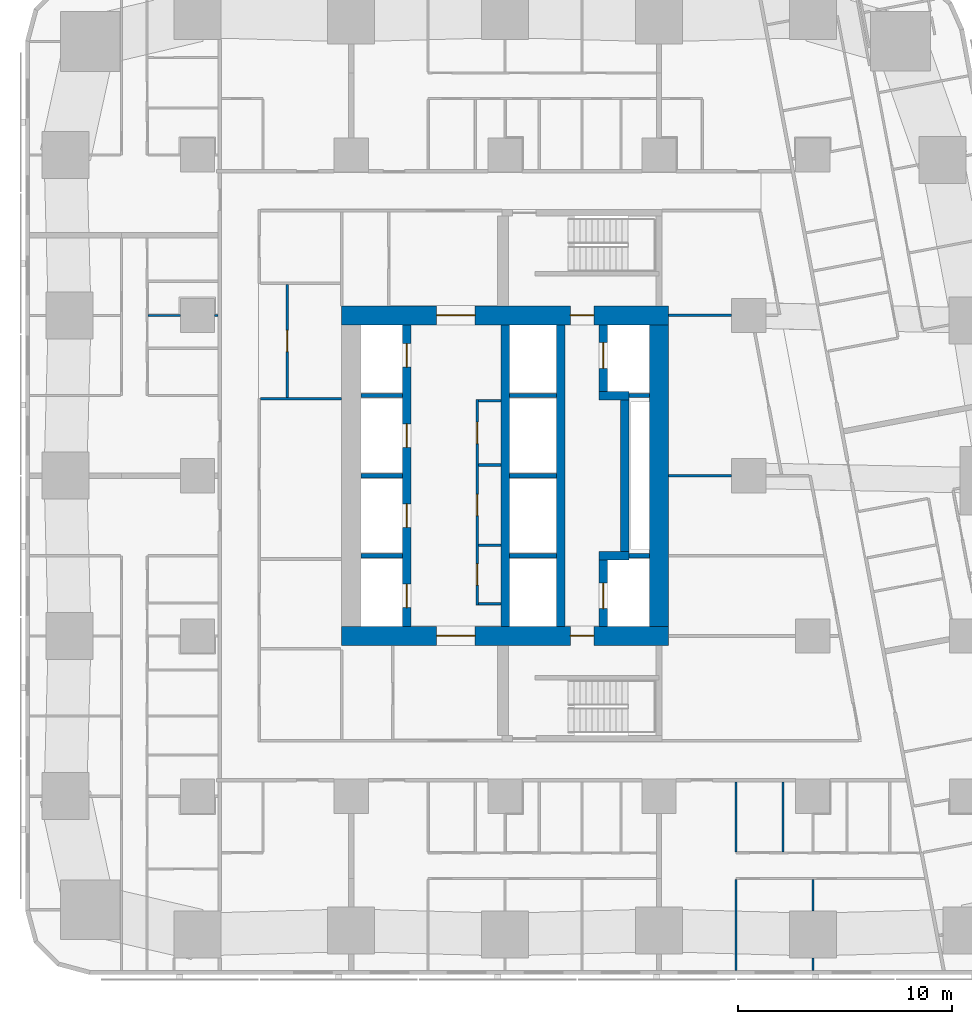
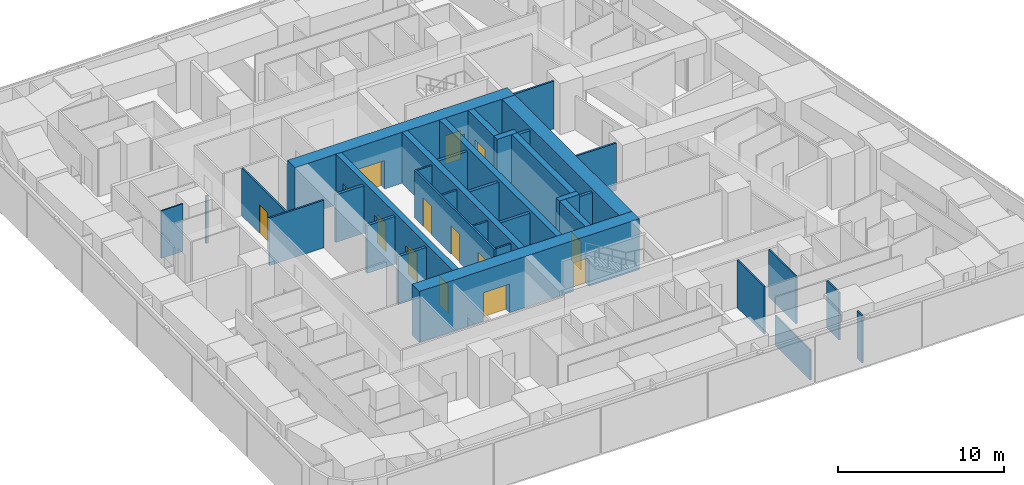
# One storey, part 5 of 15: 35 walls, 14 doors, 14 openings.
"""IFC4 building model written with IfcOpenShell, lengths in metres."""

from ifc_helpers import new_model, si_unit, direction, frame, frame_2d, origin, place, context, subcontext, project, spatial, rectangle, extrude, material, layer, layer_set, type_object, element, fill, save


model = new_model("IFC4")

# Units and contexts
model_context = context("Model", 3, precision=1e-05, world=origin(), true_north=direction((0.0, 1.0)))
body_context = subcontext(model_context, "Body", "Model", "MODEL_VIEW")
ifc_project = project(units=[si_unit("LENGTHUNIT", "METRE"), si_unit("AREAUNIT", "SQUARE_METRE"), si_unit("VOLUMEUNIT", "CUBIC_METRE"), si_unit("PLANEANGLEUNIT", "RADIAN"), si_unit("MASSUNIT", "GRAM", prefix="KILO")], contexts=[model_context])

# Site, building, storey
site_placement = place(None, origin())
site = spatial("IfcSite", under=ifc_project, at=site_placement, CompositionType="ELEMENT")
building_placement = place(site_placement, origin())
building = spatial("IfcBuilding", under=site, at=building_placement, Name="Sheger Commons Tower", CompositionType="ELEMENT")
storey_placement = place(building_placement, frame((0.0, 0.0, 85.39990234375)))
storey = spatial("IfcBuildingStorey", under=building, at=storey_placement, Name="L21", CompositionType="ELEMENT", Elevation=85.39990234375)

# Wall, openings, doors
ifc_material_1 = material(Name="Concrete C50/60", Category="concrete")
ifc_layer_1 = layer(ifc_material_1, 0.39990234375)
ifc_layer_set_1 = layer_set([ifc_layer_1], Name="CORE INNER WALL 400")
wall_type_1 = type_object("IfcWallType", Name="CORE INNER WALL 400", PredefinedType="SHEAR", material=ifc_layer_set_1)
wall_1_placement = place(storey_placement, frame((17.0, 15.449951171875, 0.0), z_axis=(0.0, 0.0, 1.0), x_axis=(0.0, 1.0, 0.0)))
wall_1 = element("IfcWall", 1, at=wall_1_placement, inside=storey, type_object=wall_type_1, Name="Core inner wall A L21", PredefinedType="SHEAR", context=body_context, shape_type="SweptSolid", body=[
    extrude(rectangle(XDim=14.10009765625, YDim=0.39990234375, at=frame_2d((7.050048828125, 0.0))), origin(), (0.0, 0.0, 1.0), 3.75),
])
opening_1_placement = place(wall_1_placement, frame((0.875, 0.0, 0.0)))
opening_1 = element("IfcOpeningElement", 2, at=opening_1_placement, cuts=wall_1, Name="Opening LD", PredefinedType="OPENING", context=body_context, shape_type="SweptSolid", body=[
    extrude(rectangle(XDim=1.10009765625, YDim=2.10009765625, at=frame_2d((0.550048828125, 1.050048828125))), frame((0.0, 0.2099609375, 0.0), z_axis=(0.0, -1.0, 0.0), x_axis=(1.0, 0.0, 0.0)), (0.0, 0.0, 1.0), 0.419921875),
])
opening_2_placement = place(wall_1_placement, frame((4.625, 0.0, 0.0)))
opening_2 = element("IfcOpeningElement", 3, at=opening_2_placement, cuts=wall_1, Name="Opening LD", PredefinedType="OPENING", context=body_context, shape_type="SweptSolid", body=[
    extrude(rectangle(XDim=1.10009765625, YDim=2.10009765625, at=frame_2d((0.550048828125, 1.050048828125))), frame((0.0, 0.2099609375, 0.0), z_axis=(0.0, -1.0, 0.0), x_axis=(1.0, 0.0, 0.0)), (0.0, 0.0, 1.0), 0.419921875),
])
opening_3_placement = place(wall_1_placement, frame((8.375, 0.0, 0.0)))
opening_3 = element("IfcOpeningElement", 4, at=opening_3_placement, cuts=wall_1, Name="Opening LD", PredefinedType="OPENING", context=body_context, shape_type="SweptSolid", body=[
    extrude(rectangle(XDim=1.10009765625, YDim=2.10009765625, at=frame_2d((0.550048828125, 1.050048828125))), frame((0.0, 0.2099609375, 0.0), z_axis=(0.0, -1.0, 0.0), x_axis=(1.0, 0.0, 0.0)), (0.0, 0.0, 1.0), 0.419921875),
])
opening_4_placement = place(wall_1_placement, frame((12.125, 0.0, 0.0)))
opening_4 = element("IfcOpeningElement", 5, at=opening_4_placement, cuts=wall_1, Name="Opening LD", PredefinedType="OPENING", context=body_context, shape_type="SweptSolid", body=[
    extrude(rectangle(XDim=1.10009765625, YDim=2.10009765625, at=frame_2d((0.550048828125, 1.050048828125))), frame((0.0, 0.2099609375, 0.0), z_axis=(0.0, -1.0, 0.0), x_axis=(1.0, 0.0, 0.0)), (0.0, 0.0, 1.0), 0.419921875),
])
ifc_material_2 = material(Name="Steel door set, fire rated", Category="steel")
door_type_1 = type_object("IfcDoorType", Name="LIFT LANDING DOOR 1100x2100", OperationType="DOUBLE_DOOR_SLIDING", PredefinedType="DOOR", material=ifc_material_2)
door_1_placement = place(opening_1_placement, origin())
door_1 = element("IfcDoor", 6, at=door_1_placement, inside=storey, type_object=door_type_1, Name="Lift LA1 landing door", OperationType="DOUBLE_DOOR_SLIDING", OverallHeight=2.10009765625, OverallWidth=1.10009765625, PredefinedType="DOOR", context=body_context, shape_type="SweptSolid", body=[
    extrude(rectangle(XDim=1.10009765625, YDim=2.10009765625, at=frame_2d((0.550048828125, 1.050048828125))), frame((0.0, 0.02490234375, 0.0), z_axis=(0.0, -1.0, 0.0), x_axis=(1.0, 0.0, 0.0)), (0.0, 0.0, 1.0), 0.050048828125),
])
fill(opening_1, door_1)
door_2_placement = place(opening_2_placement, origin())
door_2 = element("IfcDoor", 7, at=door_2_placement, inside=storey, type_object=door_type_1, Name="Lift LA2 landing door", OperationType="DOUBLE_DOOR_SLIDING", OverallHeight=2.10009765625, OverallWidth=1.10009765625, PredefinedType="DOOR", context=body_context, shape_type="SweptSolid", body=[
    extrude(rectangle(XDim=1.10009765625, YDim=2.10009765625, at=frame_2d((0.550048828125, 1.050048828125))), frame((0.0, 0.02490234375, 0.0), z_axis=(0.0, -1.0, 0.0), x_axis=(1.0, 0.0, 0.0)), (0.0, 0.0, 1.0), 0.050048828125),
])
fill(opening_2, door_2)
door_3_placement = place(opening_3_placement, origin())
door_3 = element("IfcDoor", 8, at=door_3_placement, inside=storey, type_object=door_type_1, Name="Lift LA3 landing door", OperationType="DOUBLE_DOOR_SLIDING", OverallHeight=2.10009765625, OverallWidth=1.10009765625, PredefinedType="DOOR", context=body_context, shape_type="SweptSolid", body=[
    extrude(rectangle(XDim=1.10009765625, YDim=2.10009765625, at=frame_2d((0.550048828125, 1.050048828125))), frame((0.0, 0.02490234375, 0.0), z_axis=(0.0, -1.0, 0.0), x_axis=(1.0, 0.0, 0.0)), (0.0, 0.0, 1.0), 0.050048828125),
])
fill(opening_3, door_3)
door_4_placement = place(opening_4_placement, origin())
door_4 = element("IfcDoor", 9, at=door_4_placement, inside=storey, type_object=door_type_1, Name="Lift LA4 landing door", OperationType="DOUBLE_DOOR_SLIDING", OverallHeight=2.10009765625, OverallWidth=1.10009765625, PredefinedType="DOOR", context=body_context, shape_type="SweptSolid", body=[
    extrude(rectangle(XDim=1.10009765625, YDim=2.10009765625, at=frame_2d((0.550048828125, 1.050048828125))), frame((0.0, 0.02490234375, 0.0), z_axis=(0.0, -1.0, 0.0), x_axis=(1.0, 0.0, 0.0)), (0.0, 0.0, 1.0), 0.050048828125),
])
fill(opening_4, door_4)

# Walls
for number, where, z_axis, x_axis, name in (
    (10, (21.60009765625, 15.449951171875, 0.0), (0.0, 0.0, 1.0), (0.0, 1.0, 0.0), "Core inner wall L L21"),
    (11, (24.199951171875, 15.449951171875, 0.0), (0.0, 0.0, 1.0), (0.0, 1.0, 0.0), "Core inner wall B L21"),
):
    element("IfcWall", number, at=place(storey_placement, frame(where, z_axis=z_axis, x_axis=x_axis)), inside=storey, type_object=wall_type_1, Name=name, PredefinedType="SHEAR", context=body_context, shape_type="SweptSolid", body=[
        extrude(rectangle(XDim=14.10009765625, YDim=0.39990234375, at=frame_2d((7.050048828125, 0.0))), origin(), (0.0, 0.0, 1.0), 3.75),
    ])

# Wall, opening, door
wall_2_placement = place(storey_placement, frame((26.199951171875, 15.449951171875, 0.0), z_axis=(0.0, 0.0, 1.0), x_axis=(0.0, 1.0, 0.0)))
wall_2 = element("IfcWall", 12, at=wall_2_placement, inside=storey, type_object=wall_type_1, Name="Core inner wall F L21", PredefinedType="SHEAR", context=body_context, shape_type="SweptSolid", body=[
    extrude(rectangle(XDim=3.10009765625, YDim=0.39990234375, at=frame_2d((1.550048828125, 0.0))), origin(), (0.0, 0.0, 1.0), 3.75),
])
opening_5_placement = place(wall_2_placement, frame((0.824951171875, 0.0, 0.0)))
opening_5 = element("IfcOpeningElement", 13, at=opening_5_placement, cuts=wall_2, Name="Opening LD2", PredefinedType="OPENING", context=body_context, shape_type="SweptSolid", body=[
    extrude(rectangle(XDim=1.199951171875, YDim=2.10009765625, at=frame_2d((0.60009765625, 1.050048828125))), frame((0.0, 0.2099609375, 0.0), z_axis=(0.0, -1.0, 0.0), x_axis=(1.0, 0.0, 0.0)), (0.0, 0.0, 1.0), 0.419921875),
])
ifc_material_3 = material(Name="Steel door set, fire rated", Category="steel")
door_type_2 = type_object("IfcDoorType", Name="FIREFIGHTING LIFT LANDING DOOR 1200x2100", OperationType="DOUBLE_DOOR_SLIDING", PredefinedType="DOOR", material=ifc_material_3)
door_5_placement = place(opening_5_placement, origin())
door_5 = element("IfcDoor", 14, at=door_5_placement, inside=storey, type_object=door_type_2, Name="Lift FL1 landing door", OperationType="DOUBLE_DOOR_SLIDING", OverallHeight=2.10009765625, OverallWidth=1.199951171875, PredefinedType="DOOR", context=body_context, shape_type="SweptSolid", body=[
    extrude(rectangle(XDim=1.199951171875, YDim=2.10009765625, at=frame_2d((0.60009765625, 1.050048828125))), frame((0.0, 0.02490234375, 0.0), z_axis=(0.0, -1.0, 0.0), x_axis=(1.0, 0.0, 0.0)), (0.0, 0.0, 1.0), 0.050048828125),
])
fill(opening_5, door_5)

# Walls
wall_3_placement = place(storey_placement, frame((26.0, 18.75, 0.0), z_axis=(0.0, 0.0, 1.0), x_axis=(1.0, 0.0, 0.0)))
element("IfcWall", 15, at=wall_3_placement, inside=storey, type_object=wall_type_1, Name="Core inner wall F south return L21", PredefinedType="SHEAR", context=body_context, shape_type="SweptSolid", body=[
    extrude(rectangle(XDim=1.39990234375, YDim=0.39990234375, at=frame_2d((0.699951171875, 0.0))), origin(), (0.0, 0.0, 1.0), 3.75),
])
wall_4_placement = place(storey_placement, frame((27.199951171875, 18.949951171875, 0.0), z_axis=(0.0, 0.0, 1.0), x_axis=(0.0, 1.0, 0.0)))
element("IfcWall", 16, at=wall_4_placement, inside=storey, type_object=wall_type_1, Name="Core inner wall F middle L21", PredefinedType="SHEAR", context=body_context, shape_type="SweptSolid", body=[
    extrude(rectangle(XDim=7.10009765625, YDim=0.39990234375, at=frame_2d((3.550048828125, 0.0))), origin(), (0.0, 0.0, 1.0), 3.75),
])
wall_5_placement = place(storey_placement, frame((26.0, 26.25, 0.0), z_axis=(0.0, 0.0, 1.0), x_axis=(1.0, 0.0, 0.0)))
element("IfcWall", 17, at=wall_5_placement, inside=storey, type_object=wall_type_1, Name="Core inner wall F north return L21", PredefinedType="SHEAR", context=body_context, shape_type="SweptSolid", body=[
    extrude(rectangle(XDim=1.39990234375, YDim=0.39990234375, at=frame_2d((0.699951171875, 0.0))), origin(), (0.0, 0.0, 1.0), 3.75),
])

# Wall, opening, door
wall_6_placement = place(storey_placement, frame((26.199951171875, 26.449951171875, 0.0), z_axis=(0.0, 0.0, 1.0), x_axis=(0.0, 1.0, 0.0)))
wall_6 = element("IfcWall", 18, at=wall_6_placement, inside=storey, type_object=wall_type_1, Name="Core inner wall F north L21", PredefinedType="SHEAR", context=body_context, shape_type="SweptSolid", body=[
    extrude(rectangle(XDim=3.10009765625, YDim=0.39990234375, at=frame_2d((1.550048828125, 0.0))), origin(), (0.0, 0.0, 1.0), 3.75),
])
opening_6_placement = place(wall_6_placement, frame((1.074951171875, 0.0, 0.0)))
opening_6 = element("IfcOpeningElement", 19, at=opening_6_placement, cuts=wall_6, Name="Opening LD2", PredefinedType="OPENING", context=body_context, shape_type="SweptSolid", body=[
    extrude(rectangle(XDim=1.199951171875, YDim=2.10009765625, at=frame_2d((0.60009765625, 1.050048828125))), frame((0.0, 0.2099609375, 0.0), z_axis=(0.0, -1.0, 0.0), x_axis=(1.0, 0.0, 0.0)), (0.0, 0.0, 1.0), 0.419921875),
])
door_6_placement = place(opening_6_placement, origin())
door_6 = element("IfcDoor", 20, at=door_6_placement, inside=storey, type_object=door_type_2, Name="Lift FL2 landing door", OperationType="DOUBLE_DOOR_SLIDING", OverallHeight=2.10009765625, OverallWidth=1.199951171875, PredefinedType="DOOR", context=body_context, shape_type="SweptSolid", body=[
    extrude(rectangle(XDim=1.199951171875, YDim=2.10009765625, at=frame_2d((0.60009765625, 1.050048828125))), frame((0.0, 0.02490234375, 0.0), z_axis=(0.0, -1.0, 0.0), x_axis=(1.0, 0.0, 0.0)), (0.0, 0.0, 1.0), 0.050048828125),
])
fill(opening_6, door_6)

# Wall, openings, doors
ifc_material_4 = material(Name="Concrete C50/60", Category="concrete")
ifc_layer_2 = layer(ifc_material_4, 0.89990234375)
ifc_layer_set_2 = layer_set([ifc_layer_2], Name="CORE WALL 900")
wall_type_2 = type_object("IfcWallType", Name="CORE WALL 900", PredefinedType="SHEAR", material=ifc_layer_set_2)
wall_7_placement = place(storey_placement, frame((13.949951171875, 15.0, 0.0), z_axis=(0.0, 0.0, 1.0), x_axis=(1.0, 0.0, 0.0)))
wall_7 = element("IfcWall", 21, at=wall_7_placement, inside=storey, type_object=wall_type_2, Name="Core wall south L21", PredefinedType="SHEAR", context=body_context, shape_type="SweptSolid", body=[
    extrude(rectangle(XDim=15.300048828125, YDim=0.89990234375, at=frame_2d((7.64990234375, 0.0))), origin(), (0.0, 0.0, 1.0), 3.75),
])
opening_7_placement = place(wall_7_placement, frame((4.449951171875, 0.0, 0.0)))
opening_7 = element("IfcOpeningElement", 22, at=opening_7_placement, cuts=wall_7, Name="Opening D6", PredefinedType="OPENING", context=body_context, shape_type="SweptSolid", body=[
    extrude(rectangle(XDim=1.800048828125, YDim=2.10009765625, at=frame_2d((0.89990234375, 1.050048828125))), frame((0.0, 0.4599609375, 0.0), z_axis=(0.0, -1.0, 0.0), x_axis=(1.0, 0.0, 0.0)), (0.0, 0.0, 1.0), 0.919921875),
])
opening_8_placement = place(wall_7_placement, frame((10.699951171875, 0.0, 0.0)))
opening_8 = element("IfcOpeningElement", 23, at=opening_8_placement, cuts=wall_7, Name="Opening D5", PredefinedType="OPENING", context=body_context, shape_type="SweptSolid", body=[
    extrude(rectangle(XDim=1.10009765625, YDim=2.10009765625, at=frame_2d((0.550048828125, 1.050048828125))), frame((0.0, 0.4599609375, 0.0), z_axis=(0.0, -1.0, 0.0), x_axis=(1.0, 0.0, 0.0)), (0.0, 0.0, 1.0), 0.919921875),
])
ifc_material_5 = material(Name="Steel door set, fire rated", Category="steel")
door_type_3 = type_object("IfcDoorType", Name="LOBBY DOUBLE DOOR 1800x2100", OperationType="DOUBLE_DOOR_SINGLE_SWING", PredefinedType="DOOR", material=ifc_material_5)
door_7_placement = place(opening_7_placement, origin())
door_7 = element("IfcDoor", 24, at=door_7_placement, inside=storey, type_object=door_type_3, Name="Lift lobby door", OperationType="DOUBLE_DOOR_SINGLE_SWING", OverallHeight=2.10009765625, OverallWidth=1.800048828125, PredefinedType="DOOR", context=body_context, shape_type="SweptSolid", body=[
    extrude(rectangle(XDim=1.800048828125, YDim=2.10009765625, at=frame_2d((0.89990234375, 1.050048828125))), frame((0.0, 0.02490234375, 0.0), z_axis=(0.0, -1.0, 0.0), x_axis=(1.0, 0.0, 0.0)), (0.0, 0.0, 1.0), 0.050048828125),
])
fill(opening_7, door_7)
ifc_material_6 = material(Name="Steel door set, fire rated", Category="steel")
door_type_4 = type_object("IfcDoorType", Name="STAIR DOOR 1100x2100", OperationType="NOTDEFINED", PredefinedType="DOOR", material=ifc_material_6)
door_8_placement = place(opening_8_placement, origin())
door_8 = element("IfcDoor", 25, at=door_8_placement, inside=storey, type_object=door_type_4, Name="Fire-fighting lobby door", OperationType="SINGLE_SWING_LEFT", OverallHeight=2.10009765625, OverallWidth=1.10009765625, PredefinedType="DOOR", context=body_context, shape_type="SweptSolid", body=[
    extrude(rectangle(XDim=1.10009765625, YDim=2.10009765625, at=frame_2d((0.550048828125, 1.050048828125))), frame((0.0, 0.02490234375, 0.0), z_axis=(0.0, -1.0, 0.0), x_axis=(1.0, 0.0, 0.0)), (0.0, 0.0, 1.0), 0.050048828125),
])
fill(opening_8, door_8)

wall_8_placement = place(storey_placement, frame((13.949951171875, 30.0, 0.0), z_axis=(0.0, 0.0, 1.0), x_axis=(1.0, 0.0, 0.0)))
wall_8 = element("IfcWall", 26, at=wall_8_placement, inside=storey, type_object=wall_type_2, Name="Core wall north L21", PredefinedType="SHEAR", context=body_context, shape_type="SweptSolid", body=[
    extrude(rectangle(XDim=15.300048828125, YDim=0.89990234375, at=frame_2d((7.64990234375, 0.0))), origin(), (0.0, 0.0, 1.0), 3.75),
])
opening_9_placement = place(wall_8_placement, frame((4.449951171875, 0.0, 0.0)))
opening_9 = element("IfcOpeningElement", 27, at=opening_9_placement, cuts=wall_8, Name="Opening D6", PredefinedType="OPENING", context=body_context, shape_type="SweptSolid", body=[
    extrude(rectangle(XDim=1.800048828125, YDim=2.10009765625, at=frame_2d((0.89990234375, 1.050048828125))), frame((0.0, 0.4599609375, 0.0), z_axis=(0.0, -1.0, 0.0), x_axis=(1.0, 0.0, 0.0)), (0.0, 0.0, 1.0), 0.919921875),
])
opening_10_placement = place(wall_8_placement, frame((10.699951171875, 0.0, 0.0)))
opening_10 = element("IfcOpeningElement", 28, at=opening_10_placement, cuts=wall_8, Name="Opening D5", PredefinedType="OPENING", context=body_context, shape_type="SweptSolid", body=[
    extrude(rectangle(XDim=1.10009765625, YDim=2.10009765625, at=frame_2d((0.550048828125, 1.050048828125))), frame((0.0, 0.4599609375, 0.0), z_axis=(0.0, -1.0, 0.0), x_axis=(1.0, 0.0, 0.0)), (0.0, 0.0, 1.0), 0.919921875),
])
door_9_placement = place(opening_9_placement, origin())
door_9 = element("IfcDoor", 29, at=door_9_placement, inside=storey, type_object=door_type_3, Name="Lift lobby door", OperationType="DOUBLE_DOOR_SINGLE_SWING", OverallHeight=2.10009765625, OverallWidth=1.800048828125, PredefinedType="DOOR", context=body_context, shape_type="SweptSolid", body=[
    extrude(rectangle(XDim=1.800048828125, YDim=2.10009765625, at=frame_2d((0.89990234375, 1.050048828125))), frame((0.0, 0.02490234375, 0.0), z_axis=(0.0, -1.0, 0.0), x_axis=(1.0, 0.0, 0.0)), (0.0, 0.0, 1.0), 0.050048828125),
])
fill(opening_9, door_9)
door_10_placement = place(opening_10_placement, origin())
door_10 = element("IfcDoor", 30, at=door_10_placement, inside=storey, type_object=door_type_4, Name="Fire-fighting lobby door", OperationType="SINGLE_SWING_LEFT", OverallHeight=2.10009765625, OverallWidth=1.10009765625, PredefinedType="DOOR", context=body_context, shape_type="SweptSolid", body=[
    extrude(rectangle(XDim=1.10009765625, YDim=2.10009765625, at=frame_2d((0.550048828125, 1.050048828125))), frame((0.0, 0.02490234375, 0.0), z_axis=(0.0, -1.0, 0.0), x_axis=(1.0, 0.0, 0.0)), (0.0, 0.0, 1.0), 0.050048828125),
])
fill(opening_10, door_10)

# Walls
wall_9_placement = place(storey_placement, frame((28.800048828125, 15.449951171875, 0.0), z_axis=(0.0, 0.0, 1.0), x_axis=(0.0, 1.0, 0.0)))
element("IfcWall", 31, at=wall_9_placement, inside=storey, type_object=wall_type_2, Name="Core wall east L21", PredefinedType="SHEAR", context=body_context, shape_type="SweptSolid", body=[
    extrude(rectangle(XDim=14.10009765625, YDim=0.89990234375, at=frame_2d((7.050048828125, 0.0))), origin(), (0.0, 0.0, 1.0), 3.75),
])
ifc_material_7 = material(Name="Gypsum board on steel studs", Category="steel")
ifc_layer_3 = layer(ifc_material_7, 0.10009765625)
ifc_layer_set_3 = layer_set([ifc_layer_3], Name="PARTITION 100")
wall_type_3 = type_object("IfcWallType", Name="PARTITION 100", PredefinedType="PARTITIONING", material=ifc_layer_set_3)
wall_10_placement = place(storey_placement, frame((4.89990234375, 30.0, 0.0), z_axis=(0.0, 0.0, 1.0), x_axis=(1.0, 0.0, 0.0)))
element("IfcWall", 32, at=wall_10_placement, inside=storey, type_object=wall_type_3, Name="Partition L21", PredefinedType="PARTITIONING", context=body_context, shape_type="SweptSolid", body=[
    extrude(rectangle(XDim=1.4990234375, YDim=0.10009765625, at=frame_2d((0.74951171875, 0.0))), origin(), (0.0, 0.0, 1.0), 3.5),
])
wall_11_placement = place(storey_placement, frame((8.0009765625, 30.0, 0.0), z_axis=(0.0, 0.0, 1.0), x_axis=(1.0, 0.0, 0.0)))
element("IfcWall", 33, at=wall_11_placement, inside=storey, type_object=wall_type_3, Name="Partition L21", PredefinedType="PARTITIONING", context=body_context, shape_type="SweptSolid", body=[
    extrude(rectangle(XDim=0.174072265625, YDim=0.10009765625, at=frame_2d((0.0869140625, 0.0))), origin(), (0.0, 0.0, 1.0), 3.5),
])
wall_12_placement = place(storey_placement, frame((32.39990234375, -0.64990234375, 0.0), z_axis=(0.0, 0.0, 1.0), x_axis=(0.0, 1.0, 0.0)))
element("IfcWall", 34, at=wall_12_placement, inside=storey, type_object=wall_type_3, Name="Partition L21", PredefinedType="PARTITIONING", context=body_context, shape_type="SweptSolid", body=[
    extrude(rectangle(XDim=4.25, YDim=0.10009765625, at=frame_2d((2.125, 0.0))), origin(), (0.0, 0.0, 1.0), 2.2001953125),
])
wall_13_placement = place(storey_placement, frame((36.0, -0.64990234375, 0.0), z_axis=(0.0, 0.0, 1.0), x_axis=(0.0, 1.0, 0.0)))
element("IfcWall", 35, at=wall_13_placement, inside=storey, type_object=wall_type_3, Name="Partition L21", PredefinedType="PARTITIONING", context=body_context, shape_type="SweptSolid", body=[
    extrude(rectangle(XDim=0.573974609375, YDim=0.10009765625, at=frame_2d((0.287109375, 0.0))), origin(), (0.0, 0.0, 1.0), 3.5),
])
wall_14_placement = place(storey_placement, frame((36.0, 2.1259765625, 0.0), z_axis=(0.0, 0.0, 1.0), x_axis=(0.0, 1.0, 0.0)))
element("IfcWall", 36, at=wall_14_placement, inside=storey, type_object=wall_type_3, Name="Partition L21", PredefinedType="PARTITIONING", context=body_context, shape_type="SweptSolid", body=[
    extrude(rectangle(XDim=1.47412109375, YDim=0.10009765625, at=frame_2d((0.737060546875, 0.0))), origin(), (0.0, 0.0, 1.0), 3.5),
])
for number, where, z_axis, x_axis, name in (
    (37, (32.39990234375, 4.89990234375, 0.0), (0.0, 0.0, 1.0), (0.0, 1.0, 0.0), "Partition L21"),
    (38, (34.610107421875, 4.89990234375, 0.0), (0.0, 0.0, 1.0), (0.0, 1.0, 0.0), "Partition L21"),
):
    element("IfcWall", number, at=place(storey_placement, frame(where, z_axis=z_axis, x_axis=x_axis)), inside=storey, type_object=wall_type_3, Name=name, PredefinedType="PARTITIONING", context=body_context, shape_type="SweptSolid", body=[
        extrude(rectangle(XDim=3.275146484375, YDim=0.10009765625, at=frame_2d((1.6376953125, 0.0))), origin(), (0.0, 0.0, 1.0), 3.5),
    ])

# Wall, opening, door
ifc_material_8 = material(Name="Gypsum board on steel studs, two layers each side, fire rated", Category="steel")
ifc_layer_4 = layer(ifc_material_8, 0.125)
ifc_layer_set_4 = layer_set([ifc_layer_4], Name="SERVICE WALL 125")
wall_type_4 = type_object("IfcWallType", Name="SERVICE WALL 125", PredefinedType="PARTITIONING", material=ifc_layer_set_4)
wall_15_placement = place(storey_placement, frame((11.39990234375, 26.1630859375, 0.0), z_axis=(0.0, 0.0, 1.0), x_axis=(0.0, 1.0, 0.0)))
wall_15 = element("IfcWall", 39, at=wall_15_placement, inside=storey, type_object=wall_type_4, Name="Service room wall L21", PredefinedType="PARTITIONING", context=body_context, shape_type="SweptSolid", body=[
    extrude(rectangle(XDim=5.27490234375, YDim=0.125, at=frame_2d((2.637451171875, 0.0))), origin(), (0.0, 0.0, 1.0), 3.5),
])
opening_11_placement = place(wall_15_placement, frame((2.136962890625, 0.0, 0.0)))
opening_11 = element("IfcOpeningElement", 40, at=opening_11_placement, cuts=wall_15, Name="Opening D4", PredefinedType="OPENING", context=body_context, shape_type="SweptSolid", body=[
    extrude(rectangle(XDim=1.0, YDim=2.10009765625, at=frame_2d((0.5, 1.050048828125))), frame((0.0, 0.072509765625, 0.0), z_axis=(0.0, -1.0, 0.0), x_axis=(1.0, 0.0, 0.0)), (0.0, 0.0, 1.0), 0.14501953125),
])
ifc_material_9 = material(Name="Steel door set, fire rated", Category="steel")
door_type_5 = type_object("IfcDoorType", Name="SERVICE DOOR 1000x2100", OperationType="NOTDEFINED", PredefinedType="DOOR", material=ifc_material_9)
door_11_placement = place(opening_11_placement, origin())
door_11 = element("IfcDoor", 41, at=door_11_placement, inside=storey, type_object=door_type_5, Name="Laundry and drying room door", OperationType="SINGLE_SWING_LEFT", OverallHeight=2.10009765625, OverallWidth=1.0, PredefinedType="DOOR", context=body_context, shape_type="SweptSolid", body=[
    extrude(rectangle(XDim=1.0, YDim=2.10009765625, at=frame_2d((0.5, 1.050048828125))), frame((0.0, 0.02490234375, 0.0), z_axis=(0.0, -1.0, 0.0), x_axis=(1.0, 0.0, 0.0)), (0.0, 0.0, 1.0), 0.050048828125),
])
fill(opening_11, door_11)

# Walls
wall_16_placement = place(storey_placement, frame((10.1630859375, 26.10009765625, 0.0), z_axis=(0.0, 0.0, 1.0), x_axis=(1.0, 0.0, 0.0)))
element("IfcWall", 42, at=wall_16_placement, inside=storey, type_object=wall_type_4, Name="Service room wall L21", PredefinedType="PARTITIONING", context=body_context, shape_type="SweptSolid", body=[
    extrude(rectangle(XDim=3.786865234375, YDim=0.125, at=frame_2d((1.8935546875, 0.0))), origin(), (0.0, 0.0, 1.0), 3.5),
])
for number, where, z_axis, x_axis, name in (
    (43, (29.25, 22.5, 0.0), (0.0, 0.0, 1.0), (1.0, 0.0, 0.0), "Service room wall L21"),
    (44, (29.25, 30.0, 0.0), (0.0, 0.0, 1.0), (1.0, 0.0, 0.0), "Service room wall L21"),
):
    element("IfcWall", number, at=place(storey_placement, frame(where, z_axis=z_axis, x_axis=x_axis)), inside=storey, type_object=wall_type_4, Name=name, PredefinedType="PARTITIONING", context=body_context, shape_type="SweptSolid", body=[
        extrude(rectangle(XDim=2.948974609375, YDim=0.125, at=frame_2d((1.474609375, 0.0))), origin(), (0.0, 0.0, 1.0), 3.5),
    ])

# Wall, openings, doors
wall_17_placement = place(storey_placement, frame((20.300048828125, 16.43798828125, 0.0), z_axis=(0.0, 0.0, 1.0), x_axis=(0.0, 1.0, 0.0)))
wall_17 = element("IfcWall", 45, at=wall_17_placement, inside=storey, type_object=wall_type_4, Name="Service room wall L21", PredefinedType="PARTITIONING", context=body_context, shape_type="SweptSolid", body=[
    extrude(rectangle(XDim=9.6240234375, YDim=0.125, at=frame_2d((4.81201171875, 0.0))), origin(), (0.0, 0.0, 1.0), 3.5),
])
opening_12_placement = place(wall_17_placement, frame((0.93701171875, 0.0, 0.0)))
opening_12 = element("IfcOpeningElement", 46, at=opening_12_placement, cuts=wall_17, Name="Opening D4", PredefinedType="OPENING", context=body_context, shape_type="SweptSolid", body=[
    extrude(rectangle(XDim=1.0, YDim=2.10009765625, at=frame_2d((0.5, 1.050048828125))), frame((0.0, 0.072509765625, 0.0), z_axis=(0.0, -1.0, 0.0), x_axis=(1.0, 0.0, 0.0)), (0.0, 0.0, 1.0), 0.14501953125),
])
opening_13_placement = place(wall_17_placement, frame((4.18701171875, 0.0, 0.0)))
opening_13 = element("IfcOpeningElement", 47, at=opening_13_placement, cuts=wall_17, Name="Opening D4", PredefinedType="OPENING", context=body_context, shape_type="SweptSolid", body=[
    extrude(rectangle(XDim=1.0, YDim=2.10009765625, at=frame_2d((0.5, 1.050048828125))), frame((0.0, 0.072509765625, 0.0), z_axis=(0.0, -1.0, 0.0), x_axis=(1.0, 0.0, 0.0)), (0.0, 0.0, 1.0), 0.14501953125),
])
opening_14_placement = place(wall_17_placement, frame((7.56201171875, 0.0, 0.0)))
opening_14 = element("IfcOpeningElement", 48, at=opening_14_placement, cuts=wall_17, Name="Opening D4", PredefinedType="OPENING", context=body_context, shape_type="SweptSolid", body=[
    extrude(rectangle(XDim=1.0, YDim=2.10009765625, at=frame_2d((0.5, 1.050048828125))), frame((0.0, 0.072509765625, 0.0), z_axis=(0.0, -1.0, 0.0), x_axis=(1.0, 0.0, 0.0)), (0.0, 0.0, 1.0), 0.14501953125),
])
door_12_placement = place(opening_12_placement, origin())
door_12 = element("IfcDoor", 49, at=door_12_placement, inside=storey, type_object=door_type_5, Name="Communications cupboard door", OperationType="SINGLE_SWING_RIGHT", OverallHeight=2.10009765625, OverallWidth=1.0, PredefinedType="DOOR", context=body_context, shape_type="SweptSolid", body=[
    extrude(rectangle(XDim=1.0, YDim=2.10009765625, at=frame_2d((0.5, 1.050048828125))), frame((0.0, 0.02490234375, 0.0), z_axis=(0.0, -1.0, 0.0), x_axis=(1.0, 0.0, 0.0)), (0.0, 0.0, 1.0), 0.050048828125),
])
fill(opening_12, door_12)
door_13_placement = place(opening_13_placement, origin())
door_13 = element("IfcDoor", 50, at=door_13_placement, inside=storey, type_object=door_type_5, Name="Electrical cupboard door", OperationType="SINGLE_SWING_LEFT", OverallHeight=2.10009765625, OverallWidth=1.0, PredefinedType="DOOR", context=body_context, shape_type="SweptSolid", body=[
    extrude(rectangle(XDim=1.0, YDim=2.10009765625, at=frame_2d((0.5, 1.050048828125))), frame((0.0, 0.02490234375, 0.0), z_axis=(0.0, -1.0, 0.0), x_axis=(1.0, 0.0, 0.0)), (0.0, 0.0, 1.0), 0.050048828125),
])
fill(opening_13, door_13)
door_14_placement = place(opening_14_placement, origin())
door_14 = element("IfcDoor", 51, at=door_14_placement, inside=storey, type_object=door_type_5, Name="Cleaner's cupboard door", OperationType="SINGLE_SWING_LEFT", OverallHeight=2.10009765625, OverallWidth=1.0, PredefinedType="DOOR", context=body_context, shape_type="SweptSolid", body=[
    extrude(rectangle(XDim=1.0, YDim=2.10009765625, at=frame_2d((0.5, 1.050048828125))), frame((0.0, 0.02490234375, 0.0), z_axis=(0.0, -1.0, 0.0), x_axis=(1.0, 0.0, 0.0)), (0.0, 0.0, 1.0), 0.050048828125),
])
fill(opening_14, door_14)

# Walls
for number, where, z_axis, x_axis, name in (
    (52, (20.363037109375, 16.5, 0.0), (0.0, 0.0, 1.0), (1.0, 0.0, 0.0), "Service room wall L21"),
    (53, (20.363037109375, 26.0, 0.0), (0.0, 0.0, 1.0), (1.0, 0.0, 0.0), "Service room wall L21"),
    (54, (20.363037109375, 19.25, 0.0), (0.0, 0.0, 1.0), (1.0, 0.0, 0.0), "Service room wall L21"),
    (55, (20.363037109375, 23.0, 0.0), (0.0, 0.0, 1.0), (1.0, 0.0, 0.0), "Service room wall L21"),
):
    element("IfcWall", number, at=place(storey_placement, frame(where, z_axis=z_axis, x_axis=x_axis)), inside=storey, type_object=wall_type_4, Name=name, PredefinedType="PARTITIONING", context=body_context, shape_type="SweptSolid", body=[
        extrude(rectangle(XDim=1.036865234375, YDim=0.125, at=frame_2d((0.5185546875, 0.0))), origin(), (0.0, 0.0, 1.0), 3.5),
    ])
ifc_material_10 = material(Name="Hollow concrete block masonry", Category="masonry")
ifc_layer_5 = layer(ifc_material_10, 0.199951171875)
ifc_layer_set_5 = layer_set([ifc_layer_5], Name="SHAFT WALL 200")
wall_type_5 = type_object("IfcWallType", Name="SHAFT WALL 200", PredefinedType="SOLIDWALL", material=ifc_layer_set_5)
wall_18_placement = place(storey_placement, frame((14.85009765625, 18.75, 0.0), z_axis=(0.0, 0.0, 1.0), x_axis=(1.0, 0.0, 0.0)))
element("IfcWall", 56, at=wall_18_placement, inside=storey, type_object=wall_type_5, Name="Lift shaft wall L21", PredefinedType="SOLIDWALL", context=body_context, shape_type="SweptSolid", body=[
    extrude(rectangle(XDim=1.949951171875, YDim=0.199951171875, at=frame_2d((0.97509765625, 0.0))), origin(), (0.0, 0.0, 1.0), 3.5),
])
wall_19_placement = place(storey_placement, frame((21.800048828125, 18.75, 0.0), z_axis=(0.0, 0.0, 1.0), x_axis=(1.0, 0.0, 0.0)))
element("IfcWall", 57, at=wall_19_placement, inside=storey, type_object=wall_type_5, Name="Lift shaft wall L21", PredefinedType="SOLIDWALL", context=body_context, shape_type="SweptSolid", body=[
    extrude(rectangle(XDim=2.199951171875, YDim=0.199951171875, at=frame_2d((1.10009765625, 0.0))), origin(), (0.0, 0.0, 1.0), 3.5),
])
wall_20_placement = place(storey_placement, frame((14.85009765625, 22.5, 0.0), z_axis=(0.0, 0.0, 1.0), x_axis=(1.0, 0.0, 0.0)))
element("IfcWall", 58, at=wall_20_placement, inside=storey, type_object=wall_type_5, Name="Lift shaft wall L21", PredefinedType="SOLIDWALL", context=body_context, shape_type="SweptSolid", body=[
    extrude(rectangle(XDim=1.949951171875, YDim=0.199951171875, at=frame_2d((0.97509765625, 0.0))), origin(), (0.0, 0.0, 1.0), 3.5),
])
wall_21_placement = place(storey_placement, frame((21.800048828125, 22.5, 0.0), z_axis=(0.0, 0.0, 1.0), x_axis=(1.0, 0.0, 0.0)))
element("IfcWall", 59, at=wall_21_placement, inside=storey, type_object=wall_type_5, Name="Lift shaft wall L21", PredefinedType="SOLIDWALL", context=body_context, shape_type="SweptSolid", body=[
    extrude(rectangle(XDim=2.199951171875, YDim=0.199951171875, at=frame_2d((1.10009765625, 0.0))), origin(), (0.0, 0.0, 1.0), 3.5),
])
wall_22_placement = place(storey_placement, frame((14.85009765625, 26.25, 0.0), z_axis=(0.0, 0.0, 1.0), x_axis=(1.0, 0.0, 0.0)))
element("IfcWall", 60, at=wall_22_placement, inside=storey, type_object=wall_type_5, Name="Lift shaft wall L21", PredefinedType="SOLIDWALL", context=body_context, shape_type="SweptSolid", body=[
    extrude(rectangle(XDim=1.949951171875, YDim=0.199951171875, at=frame_2d((0.97509765625, 0.0))), origin(), (0.0, 0.0, 1.0), 3.5),
])
wall_23_placement = place(storey_placement, frame((21.800048828125, 26.25, 0.0), z_axis=(0.0, 0.0, 1.0), x_axis=(1.0, 0.0, 0.0)))
element("IfcWall", 61, at=wall_23_placement, inside=storey, type_object=wall_type_5, Name="Lift shaft wall L21", PredefinedType="SOLIDWALL", context=body_context, shape_type="SweptSolid", body=[
    extrude(rectangle(XDim=2.199951171875, YDim=0.199951171875, at=frame_2d((1.10009765625, 0.0))), origin(), (0.0, 0.0, 1.0), 3.5),
])
for number, where, z_axis, x_axis, name in (
    (62, (27.39990234375, 18.75, 0.0), (0.0, 0.0, 1.0), (1.0, 0.0, 0.0), "Lift shaft wall L21"),
    (63, (27.39990234375, 26.25, 0.0), (0.0, 0.0, 1.0), (1.0, 0.0, 0.0), "Lift shaft wall L21"),
):
    element("IfcWall", number, at=place(storey_placement, frame(where, z_axis=z_axis, x_axis=x_axis)), inside=storey, type_object=wall_type_5, Name=name, PredefinedType="SOLIDWALL", context=body_context, shape_type="SweptSolid", body=[
        extrude(rectangle(XDim=0.9501953125, YDim=0.199951171875, at=frame_2d((0.47509765625, 0.0))), origin(), (0.0, 0.0, 1.0), 3.5),
    ])

save(model, "model.ifc")
